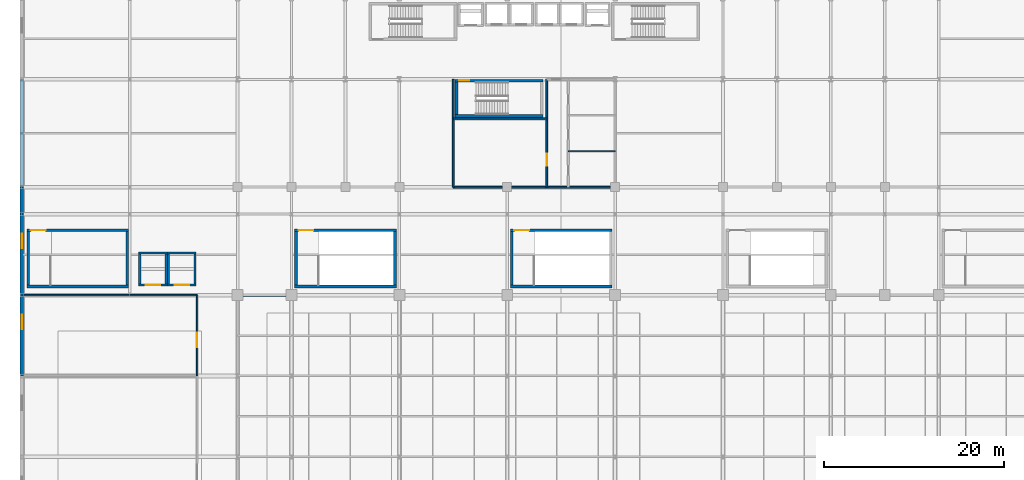
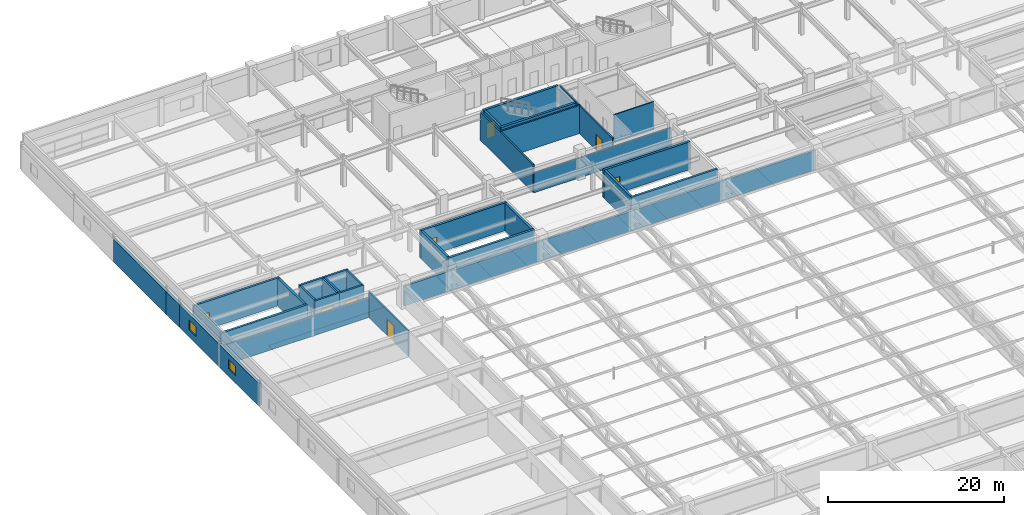
# One storey, part 93 of 108: 34 walls, 8 doors, 2 windows, 10 openings.
"""IFC4 building model written with IfcOpenShell, lengths in metres."""

from ifc_helpers import new_model, si_unit, direction, frame, frame_2d, origin, place, context, subcontext, project, spatial, rectangle, extrude, material, layer, layer_set, type_object, element, fill, save


model = new_model("IFC4")

# Units and contexts
model_context = context("Model", 3, precision=1e-05, world=origin(), true_north=direction((0.0, 1.0)))
body_context = subcontext(model_context, "Body", "Model", "MODEL_VIEW")
ifc_project = project(units=[si_unit("LENGTHUNIT", "METRE"), si_unit("AREAUNIT", "SQUARE_METRE"), si_unit("VOLUMEUNIT", "CUBIC_METRE"), si_unit("PLANEANGLEUNIT", "RADIAN"), si_unit("MASSUNIT", "GRAM", prefix="KILO")], contexts=[model_context])

# Site, building, storey
site_placement = place(None, origin())
site = spatial("IfcSite", under=ifc_project, at=site_placement, CompositionType="ELEMENT")
building_placement = place(site_placement, origin())
building = spatial("IfcBuilding", under=site, at=building_placement, Name="Kaldorvane Square Convention Centre", CompositionType="ELEMENT")
storey_placement = place(building_placement, frame((0.0, 0.0, 23.399993896484375)))
storey = spatial("IfcBuildingStorey", under=building, at=storey_placement, Name="L04", CompositionType="ELEMENT", Elevation=23.399993896484375)

# Walls
ifc_material_1 = material(Name="Reinforced Concrete Masonry Acoustic Partition", Category="masonry")
ifc_layer_1 = layer(ifc_material_1, 0.279998779296875)
ifc_layer_set_1 = layer_set([ifc_layer_1], Name="Reinforced Concrete Masonry Acoustic Partition")
wall_type_1 = type_object("IfcWallType", Name="WL-ACO-280", PredefinedType="PARTITIONING", material=ifc_layer_set_1)
wall_1_placement = place(storey_placement, frame((78.0, 72.0, 0.0), z_axis=(0.0, 0.0, 1.0), x_axis=(-1.0, 0.0, 0.0)))
element("IfcWall", 1, at=wall_1_placement, inside=storey, type_object=wall_type_1, Name="Upper Hall Acoustic Enclosure BN (L04)", PredefinedType="PARTITIONING", context=body_context, shape_type="SweptSolid", body=[
    extrude(rectangle(XDim=54.0, YDim=0.279998779296875, at=frame_2d((27.0, 0.0))), origin(), (0.0, 0.0, 1.0), 2.7519989013671875),
])
ifc_material_2 = material(Name="Fire-Rated Gypsum Board on Acoustic Steel Studs", Category="steel")
ifc_layer_2 = layer(ifc_material_2, 0.1999969482421875)
ifc_layer_set_2 = layer_set([ifc_layer_2], Name="Fire-Rated Gypsum Board on Acoustic Steel Studs")
wall_type_2 = type_object("IfcWallType", Name="WL-CORR-200", PredefinedType="PARTITIONING", material=ifc_layer_set_2)
wall_2_placement = place(storey_placement, frame((48.0, 84.0, 0.0), z_axis=(0.0, 0.0, 1.0), x_axis=(1.0, 0.0, 0.0)))
element("IfcWall", 2, at=wall_2_placement, inside=storey, type_object=wall_type_2, Name="Service Block South Partition (L04)", PredefinedType="PARTITIONING", context=body_context, shape_type="SweptSolid", body=[
    extrude(rectangle(XDim=18.0, YDim=0.1999969482421875, at=frame_2d((9.0, 0.0))), origin(), (0.0, 0.0, 1.0), 2.7519989013671875),
])

# Wall, opening, door
wall_3_placement = place(storey_placement, frame((58.399993896484375, 84.0, 0.0), z_axis=(0.0, 0.0, 1.0), x_axis=(0.0, 1.0, 0.0)))
wall_3 = element("IfcWall", 3, at=wall_3_placement, inside=storey, type_object=wall_type_2, Name="Restroom Vestibule West Wall (L04)", PredefinedType="PARTITIONING", context=body_context, shape_type="SweptSolid", body=[
    extrude(rectangle(XDim=12.0, YDim=0.1999969482421875, at=frame_2d((6.0, 0.0))), origin(), (0.0, 0.0, 1.0), 3.8899993896484375),
])
opening_1_placement = place(wall_3_placement, frame((2.399993896484375, 0.0, 0.0)))
opening_1 = element("IfcOpeningElement", 4, at=opening_1_placement, cuts=wall_3, Name="Opening ID-09", PredefinedType="OPENING", context=body_context, shape_type="SweptSolid", body=[
    extrude(rectangle(XDim=1.3000030517578125, YDim=2.1999969482421875, at=frame_2d((0.649993896484375, 1.100006103515625))), frame((0.0, 0.114990234375, 0.0), z_axis=(0.0, -1.0, 0.0), x_axis=(1.0, 0.0, 0.0)), (0.0, 0.0, 1.0), 0.2299957275390625),
])
ifc_material_3 = material(Name="Insulated Hollow Metal Steel", Category="steel")
door_type_1 = type_object("IfcDoorType", Name="DR-SVC-1300X2200", OperationType="DOUBLE_DOOR_SINGLE_SWING", PredefinedType="DOOR", material=ifc_material_3)
door_1_placement = place(opening_1_placement, origin())
door_1 = element("IfcDoor", 5, at=door_1_placement, inside=storey, type_object=door_type_1, Name="Janitor and Service Closet (L04) Door", OperationType="DOUBLE_DOOR_SINGLE_SWING", OverallHeight=2.1999969482421875, OverallWidth=1.3000030517578125, PredefinedType="DOOR", context=body_context, shape_type="SweptSolid", body=[
    extrude(rectangle(XDim=1.3000030517578125, YDim=2.1999969482421875, at=frame_2d((0.649993896484375, 1.100006103515625))), frame((0.0, 0.024993896484375, 0.0), z_axis=(0.0, -1.0, 0.0), x_axis=(1.0, 0.0, 0.0)), (0.0, 0.0, 1.0), 0.0500030517578125),
])
fill(opening_1, door_1)

# Walls
wall_4_placement = place(storey_placement, frame((48.0, 91.60000610351562, 0.0), z_axis=(0.0, 0.0, 1.0), x_axis=(1.0, 0.0, 0.0)))
element("IfcWall", 6, at=wall_4_placement, inside=storey, type_object=wall_type_2, Name="Housekeeping North Wall (L04)", PredefinedType="PARTITIONING", context=body_context, shape_type="SweptSolid", body=[
    extrude(rectangle(XDim=10.399993896484375, YDim=0.1999969482421875, at=frame_2d((5.1999969482421875, 0.0))), origin(), (0.0, 0.0, 1.0), 3.8899993896484375),
])
wall_5_placement = place(storey_placement, frame((48.0, 84.0, 0.0), z_axis=(0.0, 0.0, 1.0), x_axis=(0.0, 1.0, 0.0)))
element("IfcWall", 7, at=wall_5_placement, inside=storey, type_object=wall_type_2, Name="Service Block West Wall (L04)", PredefinedType="PARTITIONING", context=body_context, shape_type="SweptSolid", body=[
    extrude(rectangle(XDim=12.0, YDim=0.1999969482421875, at=frame_2d((6.0, 0.0))), origin(), (0.0, 0.0, 1.0), 3.8899993896484375),
])

# Wall, opening, window
ifc_material_4 = material(Name="Concrete f'c = 42 MPa (Normalweight)", Category="concrete")
ifc_layer_3 = layer(ifc_material_4, 0.3800048828125)
ifc_layer_set_3 = layer_set([ifc_layer_3], Name="Concrete f'c = 42 MPa (Normalweight)")
wall_type_3 = type_object("IfcWallType", Name="WL-EXT-380", PredefinedType="STANDARD", material=ifc_layer_set_3)
wall_6_placement = place(storey_placement, frame((0.0, 72.0, 0.0), z_axis=(0.0, 0.0, 1.0), x_axis=(0.0, -1.0, 0.0)))
wall_6 = element("IfcWall", 8, at=wall_6_placement, inside=storey, type_object=wall_type_3, Name="West Brutalist Facade Wall (L04)", PredefinedType="STANDARD", context=body_context, shape_type="SweptSolid", body=[
    extrude(rectangle(XDim=9.0, YDim=0.3800048828125, at=frame_2d((4.5, 0.0))), origin(), (0.0, 0.0, 1.0), 3.1190032958984375),
])
opening_2_placement = place(wall_6_placement, frame((2.1999969482421875, 0.0, 1.0)))
opening_2 = element("IfcOpeningElement", 9, at=opening_2_placement, cuts=wall_6, Name="Opening W-23", PredefinedType="OPENING", context=body_context, shape_type="SweptSolid", body=[
    extrude(rectangle(XDim=1.600006103515625, YDim=1.3600006103515625, at=frame_2d((0.8000030517578125, 0.67999267578125))), frame((0.0, 0.2050018310546875, 0.0), z_axis=(0.0, -1.0, 0.0), x_axis=(1.0, 0.0, 0.0)), (0.0, 0.0, 1.0), 0.410003662109375),
])
ifc_material_5 = material(Name="Anodized Aluminum and Low-E Insulated Glazing", Category="aluminium")
window_type = type_object("IfcWindowType", Name="WN-POD-1600X1650", PartitioningType="SINGLE_PANEL", PredefinedType="WINDOW", material=ifc_material_5)
window_1_placement = place(opening_2_placement, origin())
window_1 = element("IfcWindow", 10, at=window_1_placement, inside=storey, type_object=window_type, Name="West Facade Window (L04)", OverallHeight=1.3600006103515625, OverallWidth=1.600006103515625, PartitioningType="SINGLE_PANEL", PredefinedType="WINDOW", context=body_context, shape_type="SweptSolid", body=[
    extrude(rectangle(XDim=1.600006103515625, YDim=1.3600006103515625, at=frame_2d((0.8000030517578125, 0.67999267578125))), frame((0.0, 0.029998779296875, 0.0), z_axis=(0.0, -1.0, 0.0), x_axis=(1.0, 0.0, 0.0)), (0.0, 0.0, 1.0), 0.05999755859375),
])
fill(opening_2, window_1)

wall_7_placement = place(storey_placement, frame((0.0, 81.0, 0.0), z_axis=(0.0, 0.0, 1.0), x_axis=(0.0, -1.0, 0.0)))
wall_7 = element("IfcWall", 11, at=wall_7_placement, inside=storey, type_object=wall_type_3, Name="West Brutalist Facade Wall (L04)", PredefinedType="STANDARD", context=body_context, shape_type="SweptSolid", body=[
    extrude(rectangle(XDim=9.0, YDim=0.3800048828125, at=frame_2d((4.5, 0.0))), origin(), (0.0, 0.0, 1.0), 3.1190032958984375),
])
opening_3_placement = place(wall_7_placement, frame((2.1999969482421875, 0.0, 1.0)))
opening_3 = element("IfcOpeningElement", 12, at=opening_3_placement, cuts=wall_7, Name="Opening W-23", PredefinedType="OPENING", context=body_context, shape_type="SweptSolid", body=[
    extrude(rectangle(XDim=1.600006103515625, YDim=1.3600006103515625, at=frame_2d((0.8000030517578125, 0.67999267578125))), frame((0.0, 0.2050018310546875, 0.0), z_axis=(0.0, -1.0, 0.0), x_axis=(1.0, 0.0, 0.0)), (0.0, 0.0, 1.0), 0.410003662109375),
])
window_2_placement = place(opening_3_placement, origin())
window_2 = element("IfcWindow", 13, at=window_2_placement, inside=storey, type_object=window_type, Name="West Facade Window (L04)", OverallHeight=1.3600006103515625, OverallWidth=1.600006103515625, PartitioningType="SINGLE_PANEL", PredefinedType="WINDOW", context=body_context, shape_type="SweptSolid", body=[
    extrude(rectangle(XDim=1.600006103515625, YDim=1.3600006103515625, at=frame_2d((0.8000030517578125, 0.67999267578125))), frame((0.0, 0.029998779296875, 0.0), z_axis=(0.0, -1.0, 0.0), x_axis=(1.0, 0.0, 0.0)), (0.0, 0.0, 1.0), 0.05999755859375),
])
fill(opening_3, window_2)

# Walls
wall_8_placement = place(storey_placement, frame((0.0, 84.0, 0.0), z_axis=(0.0, 0.0, 1.0), x_axis=(0.0, -1.0, 0.0)))
element("IfcWall", 14, at=wall_8_placement, inside=storey, type_object=wall_type_3, Name="West Brutalist Facade Wall (L04)", PredefinedType="STANDARD", context=body_context, shape_type="SweptSolid", body=[
    extrude(rectangle(XDim=3.0, YDim=0.3800048828125, at=frame_2d((1.5, 0.0))), origin(), (0.0, 0.0, 1.0), 3.1190032958984375),
])
wall_9_placement = place(storey_placement, frame((0.0, 96.0, 0.0), z_axis=(0.0, 0.0, 1.0), x_axis=(0.0, -1.0, 0.0)))
element("IfcWall", 15, at=wall_9_placement, inside=storey, type_object=wall_type_3, Name="West Brutalist Facade Wall (L04)", PredefinedType="STANDARD", context=body_context, shape_type="SweptSolid", body=[
    extrude(rectangle(XDim=12.0, YDim=0.3800048828125, at=frame_2d((6.0, 0.0))), origin(), (0.0, 0.0, 1.0), 3.1190032958984375),
])
ifc_layer_4 = layer(ifc_material_2, 0.149993896484375)
ifc_layer_set_4 = layer_set([ifc_layer_4], Name="Fire-Rated Gypsum Board on Acoustic Steel Studs")
wall_type_4 = type_object("IfcWallType", Name="WL-PART-150", PredefinedType="PARTITIONING", material=ifc_layer_set_4)
wall_10_placement = place(storey_placement, frame((60.80000305175781, 88.0, 0.0), z_axis=(0.0, 0.0, 1.0), x_axis=(1.0, 0.0, 0.0)))
element("IfcWall", 16, at=wall_10_placement, inside=storey, type_object=wall_type_4, Name="Restroom Partition 1 (L04)", PredefinedType="PARTITIONING", context=body_context, shape_type="SweptSolid", body=[
    extrude(rectangle(XDim=5.1999969482421875, YDim=0.149993896484375, at=frame_2d((2.600006103515625, 0.0))), origin(), (0.0, 0.0, 1.0), 3.8899993896484375),
])

# Wall, opening, door
ifc_layer_5 = layer(ifc_material_2, 0.1649932861328125)
ifc_layer_set_5 = layer_set([ifc_layer_5], Name="Fire-Rated Gypsum Board on Acoustic Steel Studs")
wall_type_5 = type_object("IfcWallType", Name="WL-PART-165", PredefinedType="PARTITIONING", material=ifc_layer_set_5)
wall_11_placement = place(storey_placement, frame((19.5, 63.0, 0.0), z_axis=(0.0, 0.0, 1.0), x_axis=(0.0, 1.0, 0.0)))
wall_11 = element("IfcWall", 17, at=wall_11_placement, inside=storey, type_object=wall_type_5, Name="Meeting Room 404 E Wall", PredefinedType="PARTITIONING", context=body_context, shape_type="SweptSolid", body=[
    extrude(rectangle(XDim=9.0, YDim=0.1649932861328125, at=frame_2d((4.5, 0.0))), origin(), (0.0, 0.0, 1.0), 3.529998779296875),
])
opening_4_placement = place(wall_11_placement, frame((3.1999969482421875, 0.0, 0.0)))
opening_4 = element("IfcOpeningElement", 18, at=opening_4_placement, cuts=wall_11, Name="Opening ID-07", PredefinedType="OPENING", context=body_context, shape_type="SweptSolid", body=[
    extrude(rectangle(XDim=1.600006103515625, YDim=2.25, at=frame_2d((0.8000030517578125, 1.125))), frame((0.0, 0.097503662109375, 0.0), z_axis=(0.0, -1.0, 0.0), x_axis=(1.0, 0.0, 0.0)), (0.0, 0.0, 1.0), 0.1949920654296875),
])
ifc_material_6 = material(Name="Architectural Solid-Core White Oak")
door_type_2 = type_object("IfcDoorType", Name="DR-MEET-1600X2250", OperationType="DOUBLE_DOOR_SINGLE_SWING", PredefinedType="DOOR", material=ifc_material_6)
door_2_placement = place(opening_4_placement, origin())
door_2 = element("IfcDoor", 19, at=door_2_placement, inside=storey, type_object=door_type_2, Name="Meeting Room 404 Door 1", OperationType="DOUBLE_DOOR_SINGLE_SWING", OverallHeight=2.25, OverallWidth=1.600006103515625, PredefinedType="DOOR", context=body_context, shape_type="SweptSolid", body=[
    extrude(rectangle(XDim=1.600006103515625, YDim=2.25, at=frame_2d((0.8000030517578125, 1.125))), frame((0.0, 0.024993896484375, 0.0), z_axis=(0.0, -1.0, 0.0), x_axis=(1.0, 0.0, 0.0)), (0.0, 0.0, 1.0), 0.0500030517578125),
])
fill(opening_4, door_2)

# Walls
wall_12_placement = place(storey_placement, frame((19.5, 72.0, 0.0), z_axis=(0.0, 0.0, 1.0), x_axis=(-1.0, 0.0, 0.0)))
element("IfcWall", 20, at=wall_12_placement, inside=storey, type_object=wall_type_5, Name="Meeting Room 404 N Wall", PredefinedType="PARTITIONING", context=body_context, shape_type="SweptSolid", body=[
    extrude(rectangle(XDim=19.30999755859375, YDim=0.1649932861328125, at=frame_2d((9.654998779296875, 0.0))), origin(), (0.0, 0.0, 1.0), 2.7519989013671875),
])
ifc_material_7 = material(Name="Concrete f'c = 55 MPa (Normalweight)", Category="concrete")
ifc_layer_6 = layer(ifc_material_7, 0.3000030517578125)
ifc_layer_set_6 = layer_set([ifc_layer_6], Name="Concrete f'c = 55 MPa (Normalweight)")
wall_type_6 = type_object("IfcWallType", Name="WL-SHAFT-300", PredefinedType="SHEAR", material=ifc_layer_set_6)
wall_13_placement = place(storey_placement, frame((48.19999694824219, 91.91000366210938, 0.0), z_axis=(0.0, 0.0, 1.0), x_axis=(1.0, 0.0, 0.0)))
element("IfcWall", 21, at=wall_13_placement, inside=storey, type_object=wall_type_6, Name="Core Enclosure Wall stair:ST-T3-S (L04)", PredefinedType="SHEAR", context=body_context, shape_type="SweptSolid", body=[
    extrude(rectangle(XDim=9.800003051757812, YDim=0.3000030517578125, at=frame_2d((4.899993896484375, 0.0))), origin(), (0.0, 0.0, 1.0), 4.20001220703125),
])

# Wall, opening, door
wall_14_placement = place(storey_placement, frame((58.0, 95.85000610351562, 0.0), z_axis=(0.0, 0.0, 1.0), x_axis=(-1.0, 0.0, 0.0)))
wall_14 = element("IfcWall", 22, at=wall_14_placement, inside=storey, type_object=wall_type_6, Name="Core Enclosure Wall stair:ST-T3-N (L04)", PredefinedType="SHEAR", context=body_context, shape_type="SweptSolid", body=[
    extrude(rectangle(XDim=9.800003051757812, YDim=0.3000030517578125, at=frame_2d((4.899993896484375, 0.0))), origin(), (0.0, 0.0, 1.0), 4.20001220703125),
])
opening_5_placement = place(wall_14_placement, frame((8.25, 0.0, 0.0)))
opening_5 = element("IfcOpeningElement", 23, at=opening_5_placement, cuts=wall_14, Name="Opening FD90-S1", PredefinedType="OPENING", context=body_context, shape_type="SweptSolid", body=[
    extrude(rectangle(XDim=1.100006103515625, YDim=2.1999969482421875, at=frame_2d((0.5500030517578125, 1.100006103515625))), frame((0.0, 0.165008544921875, 0.0), z_axis=(0.0, -1.0, 0.0), x_axis=(1.0, 0.0, 0.0)), (0.0, 0.0, 1.0), 0.3300018310546875),
])
ifc_material_8 = material(Name="Fire-Rated Hollow Metal Steel", Category="steel")
door_type_3 = type_object("IfcDoorType", Name="DR-STAIR-1100", OperationType="SINGLE_SWING_RIGHT", PredefinedType="DOOR", material=ifc_material_8)
door_3_placement = place(opening_5_placement, origin())
door_3 = element("IfcDoor", 24, at=door_3_placement, inside=storey, type_object=door_type_3, Name="Tower Exit Stair T3 Fire Door (L04)", OperationType="SINGLE_SWING_RIGHT", OverallHeight=2.1999969482421875, OverallWidth=1.100006103515625, PredefinedType="DOOR", context=body_context, shape_type="SweptSolid", body=[
    extrude(rectangle(XDim=1.100006103515625, YDim=2.1999969482421875, at=frame_2d((0.5500030517578125, 1.100006103515625))), frame((0.0, 0.024993896484375, 0.0), z_axis=(0.0, -1.0, 0.0), x_axis=(1.0, 0.0, 0.0)), (0.0, 0.0, 1.0), 0.0500030517578125),
])
fill(opening_5, door_3)

# Walls
wall_15_placement = place(storey_placement, frame((48.350006103515625, 95.69999694824219, 0.0), z_axis=(0.0, 0.0, 1.0), x_axis=(0.0, -1.0, 0.0)))
element("IfcWall", 25, at=wall_15_placement, inside=storey, type_object=wall_type_6, Name="Core Enclosure Wall stair:ST-T3-W (L04)", PredefinedType="SHEAR", context=body_context, shape_type="SweptSolid", body=[
    extrude(rectangle(XDim=3.6399993896484375, YDim=0.3000030517578125, at=frame_2d((1.82000732421875, 0.0))), origin(), (0.0, 0.0, 1.0), 4.20001220703125),
])
wall_16_placement = place(storey_placement, frame((0.55999755859375, 72.94999694824219, 0.0), z_axis=(0.0, 0.0, 1.0), x_axis=(1.0, 0.0, 0.0)))
element("IfcWall", 26, at=wall_16_placement, inside=storey, type_object=wall_type_6, Name="Core Enclosure Wall stair:ST-C12-S (L04)", PredefinedType="SHEAR", context=body_context, shape_type="SweptSolid", body=[
    extrude(rectangle(XDim=11.32000732421875, YDim=0.3000030517578125, at=frame_2d((5.660003662109375, 0.0))), origin(), (0.0, 0.0, 1.0), 3.850006103515625),
])

# Wall, opening, door
wall_17_placement = place(storey_placement, frame((11.8800048828125, 79.21000671386719, 0.0), z_axis=(0.0, 0.0, 1.0), x_axis=(-1.0, 0.0, 0.0)))
wall_17 = element("IfcWall", 27, at=wall_17_placement, inside=storey, type_object=wall_type_6, Name="Core Enclosure Wall stair:ST-C12-N (L04)", PredefinedType="SHEAR", context=body_context, shape_type="SweptSolid", body=[
    extrude(rectangle(XDim=11.32000732421875, YDim=0.3000030517578125, at=frame_2d((5.660003662109375, 0.0))), origin(), (0.0, 0.0, 1.0), 3.850006103515625),
])
opening_6_placement = place(wall_17_placement, frame((9.220001220703125, 0.0, 0.0)))
opening_6 = element("IfcOpeningElement", 28, at=opening_6_placement, cuts=wall_17, Name="Opening FD90-S2", PredefinedType="OPENING", context=body_context, shape_type="SweptSolid", body=[
    extrude(rectangle(XDim=1.649993896484375, YDim=2.25, at=frame_2d((0.8249969482421875, 1.125))), frame((0.0, 0.165008544921875, 0.0), z_axis=(0.0, -1.0, 0.0), x_axis=(1.0, 0.0, 0.0)), (0.0, 0.0, 1.0), 0.3300018310546875),
])
door_type_4 = type_object("IfcDoorType", Name="DR-STAIR-1650", OperationType="DOUBLE_DOOR_SINGLE_SWING", PredefinedType="DOOR", material=ifc_material_8)
door_4_placement = place(opening_6_placement, origin())
door_4 = element("IfcDoor", 29, at=door_4_placement, inside=storey, type_object=door_type_4, Name="Convention Exit Stair C12 Fire Door (L04)", OperationType="DOUBLE_DOOR_SINGLE_SWING", OverallHeight=2.25, OverallWidth=1.649993896484375, PredefinedType="DOOR", context=body_context, shape_type="SweptSolid", body=[
    extrude(rectangle(XDim=1.649993896484375, YDim=2.25, at=frame_2d((0.8249969482421875, 1.125))), frame((0.0, 0.024993896484375, 0.0), z_axis=(0.0, -1.0, 0.0), x_axis=(1.0, 0.0, 0.0)), (0.0, 0.0, 1.0), 0.0500030517578125),
])
fill(opening_6, door_4)

# Walls
for number, where, z_axis, x_axis, name in (
    (30, (0.7100067138671875, 79.05999755859375, 0.0), (0.0, 0.0, 1.0), (0.0, -1.0, 0.0), "Core Enclosure Wall stair:ST-C12-W (L04)"),
    (31, (11.729995727539062, 73.10000610351562, 0.0), (0.0, 0.0, 1.0), (0.0, 1.0, 0.0), "Core Enclosure Wall stair:ST-C12-E (L04)"),
):
    element("IfcWall", number, at=place(storey_placement, frame(where, z_axis=z_axis, x_axis=x_axis)), inside=storey, type_object=wall_type_6, Name=name, PredefinedType="SHEAR", context=body_context, shape_type="SweptSolid", body=[
        extrude(rectangle(XDim=5.959991455078125, YDim=0.3000030517578125, at=frame_2d((2.9799957275390625, 0.0))), origin(), (0.0, 0.0, 1.0), 3.850006103515625),
    ])
wall_18_placement = place(storey_placement, frame((30.339996337890625, 72.94999694824219, 0.0), z_axis=(0.0, 0.0, 1.0), x_axis=(1.0, 0.0, 0.0)))
element("IfcWall", 32, at=wall_18_placement, inside=storey, type_object=wall_type_6, Name="Core Enclosure Wall stair:ST-C13-S (L04)", PredefinedType="SHEAR", context=body_context, shape_type="SweptSolid", body=[
    extrude(rectangle(XDim=11.32000732421875, YDim=0.3000030517578125, at=frame_2d((5.660003662109375, 0.0))), origin(), (0.0, 0.0, 1.0), 3.850006103515625),
])

# Wall, opening, door
wall_19_placement = place(storey_placement, frame((41.660003662109375, 79.21000671386719, 0.0), z_axis=(0.0, 0.0, 1.0), x_axis=(-1.0, 0.0, 0.0)))
wall_19 = element("IfcWall", 33, at=wall_19_placement, inside=storey, type_object=wall_type_6, Name="Core Enclosure Wall stair:ST-C13-N (L04)", PredefinedType="SHEAR", context=body_context, shape_type="SweptSolid", body=[
    extrude(rectangle(XDim=11.32000732421875, YDim=0.3000030517578125, at=frame_2d((5.660003662109375, 0.0))), origin(), (0.0, 0.0, 1.0), 3.850006103515625),
])
opening_7_placement = place(wall_19_placement, frame((9.220001220703125, 0.0, 0.0)))
opening_7 = element("IfcOpeningElement", 34, at=opening_7_placement, cuts=wall_19, Name="Opening FD90-S2", PredefinedType="OPENING", context=body_context, shape_type="SweptSolid", body=[
    extrude(rectangle(XDim=1.649993896484375, YDim=2.25, at=frame_2d((0.8249969482421875, 1.125))), frame((0.0, 0.165008544921875, 0.0), z_axis=(0.0, -1.0, 0.0), x_axis=(1.0, 0.0, 0.0)), (0.0, 0.0, 1.0), 0.3300018310546875),
])
door_5_placement = place(opening_7_placement, origin())
door_5 = element("IfcDoor", 35, at=door_5_placement, inside=storey, type_object=door_type_4, Name="Convention Exit Stair C13 Fire Door (L04)", OperationType="DOUBLE_DOOR_SINGLE_SWING", OverallHeight=2.25, OverallWidth=1.649993896484375, PredefinedType="DOOR", context=body_context, shape_type="SweptSolid", body=[
    extrude(rectangle(XDim=1.649993896484375, YDim=2.25, at=frame_2d((0.8249969482421875, 1.125))), frame((0.0, 0.024993896484375, 0.0), z_axis=(0.0, -1.0, 0.0), x_axis=(1.0, 0.0, 0.0)), (0.0, 0.0, 1.0), 0.0500030517578125),
])
fill(opening_7, door_5)

# Walls
for number, where, z_axis, x_axis, name in (
    (36, (30.490005493164062, 79.05999755859375, 0.0), (0.0, 0.0, 1.0), (0.0, -1.0, 0.0), "Core Enclosure Wall stair:ST-C13-W (L04)"),
    (37, (41.50999450683594, 73.10000610351562, 0.0), (0.0, 0.0, 1.0), (0.0, 1.0, 0.0), "Core Enclosure Wall stair:ST-C13-E (L04)"),
):
    element("IfcWall", number, at=place(storey_placement, frame(where, z_axis=z_axis, x_axis=x_axis)), inside=storey, type_object=wall_type_6, Name=name, PredefinedType="SHEAR", context=body_context, shape_type="SweptSolid", body=[
        extrude(rectangle(XDim=5.959991455078125, YDim=0.3000030517578125, at=frame_2d((2.9799957275390625, 0.0))), origin(), (0.0, 0.0, 1.0), 3.850006103515625),
    ])
wall_20_placement = place(storey_placement, frame((54.339996337890625, 72.94999694824219, 0.0), z_axis=(0.0, 0.0, 1.0), x_axis=(1.0, 0.0, 0.0)))
element("IfcWall", 38, at=wall_20_placement, inside=storey, type_object=wall_type_6, Name="Core Enclosure Wall stair:ST-C14-S (L04)", PredefinedType="SHEAR", context=body_context, shape_type="SweptSolid", body=[
    extrude(rectangle(XDim=11.32000732421875, YDim=0.3000030517578125, at=frame_2d((5.660003662109375, 0.0))), origin(), (0.0, 0.0, 1.0), 3.850006103515625),
])

# Wall, opening, door
wall_21_placement = place(storey_placement, frame((65.66000366210938, 79.21000671386719, 0.0), z_axis=(0.0, 0.0, 1.0), x_axis=(-1.0, 0.0, 0.0)))
wall_21 = element("IfcWall", 39, at=wall_21_placement, inside=storey, type_object=wall_type_6, Name="Core Enclosure Wall stair:ST-C14-N (L04)", PredefinedType="SHEAR", context=body_context, shape_type="SweptSolid", body=[
    extrude(rectangle(XDim=11.32000732421875, YDim=0.3000030517578125, at=frame_2d((5.660003662109375, 0.0))), origin(), (0.0, 0.0, 1.0), 3.850006103515625),
])
opening_8_placement = place(wall_21_placement, frame((9.220001220703125, 0.0, 0.0)))
opening_8 = element("IfcOpeningElement", 40, at=opening_8_placement, cuts=wall_21, Name="Opening FD90-S2", PredefinedType="OPENING", context=body_context, shape_type="SweptSolid", body=[
    extrude(rectangle(XDim=1.649993896484375, YDim=2.25, at=frame_2d((0.8249969482421875, 1.125))), frame((0.0, 0.165008544921875, 0.0), z_axis=(0.0, -1.0, 0.0), x_axis=(1.0, 0.0, 0.0)), (0.0, 0.0, 1.0), 0.3300018310546875),
])
door_6_placement = place(opening_8_placement, origin())
door_6 = element("IfcDoor", 41, at=door_6_placement, inside=storey, type_object=door_type_4, Name="Convention Exit Stair C14 Fire Door (L04)", OperationType="DOUBLE_DOOR_SINGLE_SWING", OverallHeight=2.25, OverallWidth=1.649993896484375, PredefinedType="DOOR", context=body_context, shape_type="SweptSolid", body=[
    extrude(rectangle(XDim=1.649993896484375, YDim=2.25, at=frame_2d((0.8249969482421875, 1.125))), frame((0.0, 0.024993896484375, 0.0), z_axis=(0.0, -1.0, 0.0), x_axis=(1.0, 0.0, 0.0)), (0.0, 0.0, 1.0), 0.0500030517578125),
])
fill(opening_8, door_6)

# Wall
wall_22_placement = place(storey_placement, frame((54.49000549316406, 79.05999755859375, 0.0), z_axis=(0.0, 0.0, 1.0), x_axis=(0.0, -1.0, 0.0)))
element("IfcWall", 42, at=wall_22_placement, inside=storey, type_object=wall_type_6, Name="Core Enclosure Wall stair:ST-C14-W (L04)", PredefinedType="SHEAR", context=body_context, shape_type="SweptSolid", body=[
    extrude(rectangle(XDim=5.959991455078125, YDim=0.3000030517578125, at=frame_2d((2.9799957275390625, 0.0))), origin(), (0.0, 0.0, 1.0), 3.850006103515625),
])

# Wall, opening, door
wall_23_placement = place(storey_placement, frame((13.0, 73.125, 0.0), z_axis=(0.0, 0.0, 1.0), x_axis=(1.0, 0.0, 0.0)))
wall_23 = element("IfcWall", 43, at=wall_23_placement, inside=storey, type_object=wall_type_6, Name="Core Enclosure Wall lift:EL-G1-S (L04)", PredefinedType="SHEAR", context=body_context, shape_type="SweptSolid", body=[
    extrude(rectangle(XDim=3.1999969482421875, YDim=0.25, at=frame_2d((1.600006103515625, 0.0))), origin(), (0.0, 0.0, 1.0), 3.850006103515625),
])
opening_9_placement = place(wall_23_placement, frame((0.8000030517578125, 0.0, 0.0)))
opening_9 = element("IfcOpeningElement", 44, at=opening_9_placement, cuts=wall_23, Name="Opening LD-03", PredefinedType="OPENING", context=body_context, shape_type="SweptSolid", body=[
    extrude(rectangle(XDim=1.600006103515625, YDim=2.399993896484375, at=frame_2d((0.8000030517578125, 1.1999969482421875))), frame((0.0, 0.1399993896484375, 0.0), z_axis=(0.0, -1.0, 0.0), x_axis=(1.0, 0.0, 0.0)), (0.0, 0.0, 1.0), 0.279998779296875),
])
ifc_material_9 = material(Name="Stainless Steel Elevator Door Assembly", Category="steel")
door_type_5 = type_object("IfcDoorType", Name="DR-LIFT-1600", OperationType="DOUBLE_DOOR_SLIDING", PredefinedType="DOOR", material=ifc_material_9)
door_7_placement = place(opening_9_placement, origin())
door_7 = element("IfcDoor", 45, at=door_7_placement, inside=storey, type_object=door_type_5, Name="Elevator Landing Door EL-G1 (L04)", OperationType="DOUBLE_DOOR_SLIDING", OverallHeight=2.399993896484375, OverallWidth=1.600006103515625, PredefinedType="DOOR", context=body_context, shape_type="SweptSolid", body=[
    extrude(rectangle(XDim=1.600006103515625, YDim=2.399993896484375, at=frame_2d((0.8000030517578125, 1.1999969482421875))), frame((0.0, 0.024993896484375, 0.0), z_axis=(0.0, -1.0, 0.0), x_axis=(1.0, 0.0, 0.0)), (0.0, 0.0, 1.0), 0.0500030517578125),
])
fill(opening_9, door_7)

# Walls
wall_24_placement = place(storey_placement, frame((16.199996948242188, 76.67500305175781, 0.0), z_axis=(0.0, 0.0, 1.0), x_axis=(-1.0, 0.0, 0.0)))
element("IfcWall", 46, at=wall_24_placement, inside=storey, type_object=wall_type_6, Name="Core Enclosure Wall lift:EL-G1-N (L04)", PredefinedType="SHEAR", context=body_context, shape_type="SweptSolid", body=[
    extrude(rectangle(XDim=3.1999969482421875, YDim=0.25, at=frame_2d((1.600006103515625, 0.0))), origin(), (0.0, 0.0, 1.0), 3.850006103515625),
])
for number, where, z_axis, x_axis, name in (
    (47, (13.125, 76.55000305175781, 0.0), (0.0, 0.0, 1.0), (0.0, -1.0, 0.0), "Core Enclosure Wall lift:EL-G1-W (L04)"),
    (48, (16.074996948242188, 73.25, 0.0), (0.0, 0.0, 1.0), (0.0, 1.0, 0.0), "Core Enclosure Wall lift:EL-G1-E (L04)"),
):
    element("IfcWall", number, at=place(storey_placement, frame(where, z_axis=z_axis, x_axis=x_axis)), inside=storey, type_object=wall_type_6, Name=name, PredefinedType="SHEAR", context=body_context, shape_type="SweptSolid", body=[
        extrude(rectangle(XDim=3.3000030517578125, YDim=0.25, at=frame_2d((1.649993896484375, 0.0))), origin(), (0.0, 0.0, 1.0), 3.850006103515625),
    ])

# Wall, opening, door
wall_25_placement = place(storey_placement, frame((16.199996948242188, 73.125, 0.0), z_axis=(0.0, 0.0, 1.0), x_axis=(1.0, 0.0, 0.0)))
wall_25 = element("IfcWall", 49, at=wall_25_placement, inside=storey, type_object=wall_type_6, Name="Core Enclosure Wall lift:EL-G2-S (L04)", PredefinedType="SHEAR", context=body_context, shape_type="SweptSolid", body=[
    extrude(rectangle(XDim=3.1999969482421875, YDim=0.25, at=frame_2d((1.600006103515625, 0.0))), origin(), (0.0, 0.0, 1.0), 3.850006103515625),
])
opening_10_placement = place(wall_25_placement, frame((0.8000030517578125, 0.0, 0.0)))
opening_10 = element("IfcOpeningElement", 50, at=opening_10_placement, cuts=wall_25, Name="Opening LD-03", PredefinedType="OPENING", context=body_context, shape_type="SweptSolid", body=[
    extrude(rectangle(XDim=1.600006103515625, YDim=2.399993896484375, at=frame_2d((0.8000030517578125, 1.1999969482421875))), frame((0.0, 0.1399993896484375, 0.0), z_axis=(0.0, -1.0, 0.0), x_axis=(1.0, 0.0, 0.0)), (0.0, 0.0, 1.0), 0.279998779296875),
])
door_8_placement = place(opening_10_placement, origin())
door_8 = element("IfcDoor", 51, at=door_8_placement, inside=storey, type_object=door_type_5, Name="Elevator Landing Door EL-G2 (L04)", OperationType="DOUBLE_DOOR_SLIDING", OverallHeight=2.399993896484375, OverallWidth=1.600006103515625, PredefinedType="DOOR", context=body_context, shape_type="SweptSolid", body=[
    extrude(rectangle(XDim=1.600006103515625, YDim=2.399993896484375, at=frame_2d((0.8000030517578125, 1.1999969482421875))), frame((0.0, 0.024993896484375, 0.0), z_axis=(0.0, -1.0, 0.0), x_axis=(1.0, 0.0, 0.0)), (0.0, 0.0, 1.0), 0.0500030517578125),
])
fill(opening_10, door_8)

# Walls
wall_26_placement = place(storey_placement, frame((19.399993896484375, 76.67500305175781, 0.0), z_axis=(0.0, 0.0, 1.0), x_axis=(-1.0, 0.0, 0.0)))
element("IfcWall", 52, at=wall_26_placement, inside=storey, type_object=wall_type_6, Name="Core Enclosure Wall lift:EL-G2-N (L04)", PredefinedType="SHEAR", context=body_context, shape_type="SweptSolid", body=[
    extrude(rectangle(XDim=3.1999969482421875, YDim=0.25, at=frame_2d((1.600006103515625, 0.0))), origin(), (0.0, 0.0, 1.0), 3.850006103515625),
])
for number, where, z_axis, x_axis, name in (
    (53, (16.324996948242188, 76.55000305175781, 0.0), (0.0, 0.0, 1.0), (0.0, -1.0, 0.0), "Core Enclosure Wall lift:EL-G2-W (L04)"),
    (54, (19.274993896484375, 73.25, 0.0), (0.0, 0.0, 1.0), (0.0, 1.0, 0.0), "Core Enclosure Wall lift:EL-G2-E (L04)"),
):
    element("IfcWall", number, at=place(storey_placement, frame(where, z_axis=z_axis, x_axis=x_axis)), inside=storey, type_object=wall_type_6, Name=name, PredefinedType="SHEAR", context=body_context, shape_type="SweptSolid", body=[
        extrude(rectangle(XDim=3.3000030517578125, YDim=0.25, at=frame_2d((1.649993896484375, 0.0))), origin(), (0.0, 0.0, 1.0), 3.850006103515625),
    ])

save(model, "model.ifc")
